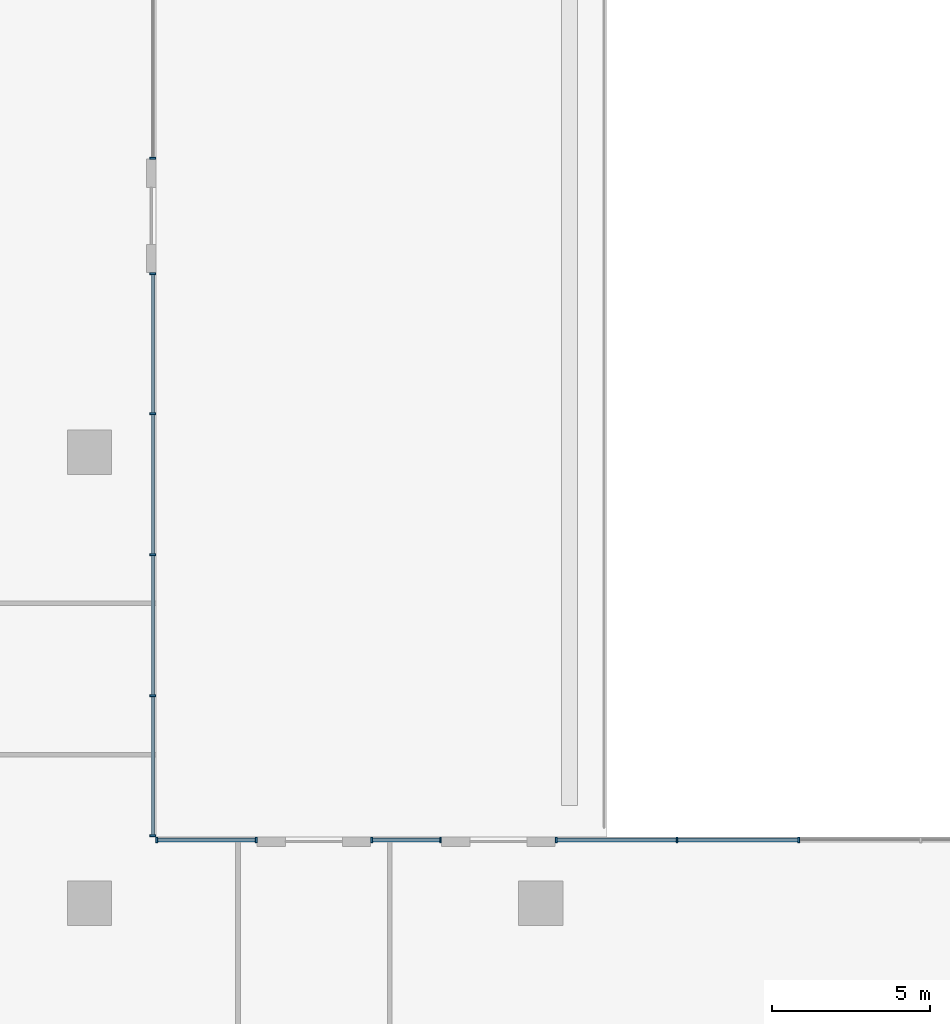
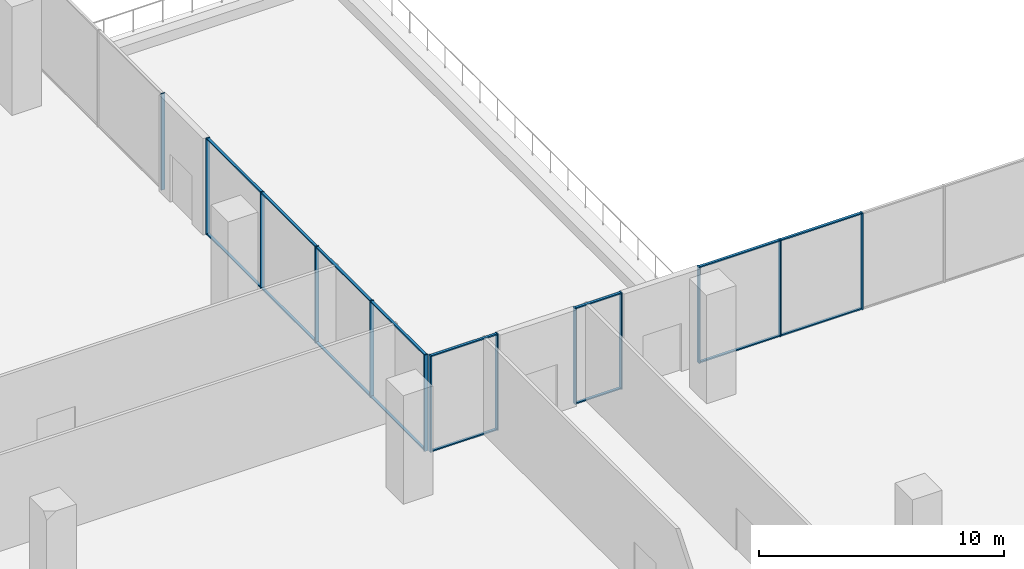
# One storey, part 7 of 21: 29 members, 5 elements without a shape of their own.
"""IFC4 building model written with IfcOpenShell, lengths in metres."""

from ifc_helpers import new_model, si_unit, direction, frame, origin, origin_2d, place, context, subcontext, project, spatial, rectangle, extrude, source, transform, mapped, material, layer, layer_set, material_profile, profile_set, type_object, element, aggregate, save


model = new_model("IFC4")

# Units and contexts
model_context = context("Model", 3, precision=1e-05, world=origin(), true_north=direction((0.0, 1.0)))
body_context = subcontext(model_context, "Body", "Model", "MODEL_VIEW")
ifc_project = project(units=[si_unit("LENGTHUNIT", "METRE"), si_unit("AREAUNIT", "SQUARE_METRE"), si_unit("VOLUMEUNIT", "CUBIC_METRE"), si_unit("PLANEANGLEUNIT", "RADIAN"), si_unit("MASSUNIT", "GRAM", prefix="KILO")], contexts=[model_context])

# Site, building, storey
site_placement = place(None, origin())
site = spatial("IfcSite", under=ifc_project, at=site_placement, CompositionType="ELEMENT")
building_placement = place(site_placement, origin())
building = spatial("IfcBuilding", under=site, at=building_placement, Name="Aurelian Terraces", CompositionType="ELEMENT")
storey_placement = place(building_placement, frame((0.0, 0.0, 29.1)))
storey = spatial("IfcBuildingStorey", under=building, at=storey_placement, Name="L05", CompositionType="ELEMENT", Elevation=29.1)

# Curtain wall, members
ifc_material_1 = material(Name="Anodised aluminium and clear glazing", Category="aluminium")
ifc_layer = layer(ifc_material_1, 0.2)
ifc_layer_set = layer_set([ifc_layer], Name="Winter garden glazing curtain wall")
curtain_wall_type = type_object("IfcCurtainWallType", Name="Winter garden glazing curtain wall", PredefinedType="NOTDEFINED", material=ifc_layer_set)
curtain_wall_1_placement = place(storey_placement, origin())
curtain_wall_1 = element("IfcCurtainWall", 1, at=curtain_wall_1_placement, inside=storey, type_object=curtain_wall_type, Name="Winter garden glazing L05 F04.1", PredefinedType="NOTDEFINED")
ifc_material_2 = material(Name="Anodised aluminium", Category="aluminium")
ifc_material_profile_1 = material_profile(ifc_material_2, rectangle(XDim=0.12, YDim=0.06, at=origin_2d()))
ifc_profile_set_1 = profile_set([ifc_material_profile_1], Name="Anodised aluminium")
member_type_1 = type_object("IfcMemberType", Name="Winter garden glazing transom", PredefinedType="USERDEFINED", material=ifc_profile_set_1)
member_1_placement = place(storey_placement, frame((39.8, 39.96, 0.03), z_axis=(0.0, 1.0, 0.0), x_axis=(-1.0, 0.0, 0.0)))
member_1 = element("IfcMember", 2, at=member_1_placement, type_object=member_type_1, Name="CW6 transom 1.1", ObjectType="TRANSOM", PredefinedType="USERDEFINED", context=body_context, shape_type="SweptSolid", body=[
    extrude(rectangle(XDim=0.12, YDim=0.06, at=origin_2d()), origin(), (0.0, 0.0, 1.0), 4.375),
])
member_2_placement = place(storey_placement, frame((39.8, 44.395, 0.03), z_axis=(0.0, 1.0, 0.0), x_axis=(-1.0, 0.0, 0.0)))
member_2 = element("IfcMember", 3, at=member_2_placement, type_object=member_type_1, Name="CW6 transom 2.1", ObjectType="TRANSOM", PredefinedType="USERDEFINED", context=body_context, shape_type="SweptSolid", body=[
    extrude(rectangle(XDim=0.12, YDim=0.06, at=origin_2d()), origin(), (0.0, 0.0, 1.0), 4.405),
])

curtain_wall_2_placement = place(storey_placement, origin())
curtain_wall_2 = element("IfcCurtainWall", 4, at=curtain_wall_2_placement, inside=storey, type_object=curtain_wall_type, Name="Winter garden glazing L05 F03.1", PredefinedType="NOTDEFINED")
ifc_material_profile_2 = material_profile(ifc_material_2, rectangle(XDim=0.18, YDim=0.06, at=origin_2d()))
ifc_profile_set_2 = profile_set([ifc_material_profile_2], Name="Anodised aluminium")
member_type_2 = type_object("IfcMemberType", Name="Winter garden glazing mullion", PredefinedType="MULLION", material=ifc_profile_set_2)
shared_shape_1 = source(origin(), body_context, "Body", "SweptSolid", [
    extrude(rectangle(XDim=0.18, YDim=0.06, at=origin_2d()), origin(), (0.0, 0.0, 1.0), 4.8),
])
member_3_placement = place(storey_placement, frame((60.252, 39.8, 0.0), z_axis=(0.0, 0.0, 1.0), x_axis=(0.0, -1.0, 0.0)))
member_3 = element("IfcMember", 5, at=member_3_placement, type_object=member_type_2, Name="CW6 mullion 4", PredefinedType="MULLION", context=body_context, shape_type="MappedRepresentation", body=[
    mapped(shared_shape_1, transform((0.0, 0.0, 0.0), scale=1.0)),
])
member_4_placement = place(storey_placement, frame((56.396, 39.8, 0.0), z_axis=(0.0, 0.0, 1.0), x_axis=(0.0, -1.0, 0.0)))
member_4 = element("IfcMember", 6, at=member_4_placement, type_object=member_type_2, Name="CW6 mullion 5", PredefinedType="MULLION", context=body_context, shape_type="MappedRepresentation", body=[
    mapped(shared_shape_1, transform((0.0, 0.0, 0.0), scale=1.0)),
])
member_5_placement = place(storey_placement, frame((52.57, 39.8, 0.0), z_axis=(0.0, 0.0, 1.0), x_axis=(0.0, -1.0, 0.0)))
member_5 = element("IfcMember", 7, at=member_5_placement, type_object=member_type_2, Name="CW6 mullion 6", PredefinedType="MULLION", context=body_context, shape_type="MappedRepresentation", body=[
    mapped(shared_shape_1, transform((0.0, 0.0, 0.0), scale=1.0)),
])

curtain_wall_3_placement = place(storey_placement, origin())
curtain_wall_3 = element("IfcCurtainWall", 8, at=curtain_wall_3_placement, inside=storey, type_object=curtain_wall_type, Name="Winter garden glazing L05 F03.3", PredefinedType="NOTDEFINED")
member_6_placement = place(storey_placement, frame((48.91, 39.8, 0.0), z_axis=(0.0, 0.0, 1.0), x_axis=(0.0, -1.0, 0.0)))
member_6 = element("IfcMember", 9, at=member_6_placement, type_object=member_type_2, Name="CW6 mullion 1", PredefinedType="MULLION", context=body_context, shape_type="MappedRepresentation", body=[
    mapped(shared_shape_1, transform((0.0, 0.0, 0.0), scale=1.0)),
])
member_7_placement = place(storey_placement, frame((46.73, 39.8, 0.0), z_axis=(0.0, 0.0, 1.0), x_axis=(0.0, -1.0, 0.0)))
member_7 = element("IfcMember", 10, at=member_7_placement, type_object=member_type_2, Name="CW6 mullion 2", PredefinedType="MULLION", context=body_context, shape_type="MappedRepresentation", body=[
    mapped(shared_shape_1, transform((0.0, 0.0, 0.0), scale=1.0)),
])

curtain_wall_4_placement = place(storey_placement, origin())
curtain_wall_4 = element("IfcCurtainWall", 11, at=curtain_wall_4_placement, inside=storey, type_object=curtain_wall_type, Name="Winter garden glazing L05 F03.5", PredefinedType="NOTDEFINED")
member_8_placement = place(storey_placement, frame((43.07, 39.8, 0.0), z_axis=(0.0, 0.0, 1.0), x_axis=(0.0, -1.0, 0.0)))
member_8 = element("IfcMember", 12, at=member_8_placement, type_object=member_type_2, Name="CW6 mullion 1", PredefinedType="MULLION", context=body_context, shape_type="MappedRepresentation", body=[
    mapped(shared_shape_1, transform((0.0, 0.0, 0.0), scale=1.0)),
])
member_9_placement = place(storey_placement, frame((39.93, 39.8, 0.0), z_axis=(0.0, 0.0, 1.0), x_axis=(0.0, -1.0, 0.0)))
member_9 = element("IfcMember", 13, at=member_9_placement, type_object=member_type_2, Name="CW6 mullion 2", PredefinedType="MULLION", context=body_context, shape_type="MappedRepresentation", body=[
    mapped(shared_shape_1, transform((0.0, 0.0, 0.0), scale=1.0)),
])

# Member
member_10_placement = place(storey_placement, frame((39.8, 39.93, 0.0), z_axis=(0.0, 0.0, 1.0), x_axis=(-1.0, 0.0, 0.0)))
member_10 = element("IfcMember", 14, at=member_10_placement, type_object=member_type_2, Name="CW6 mullion 1", PredefinedType="MULLION", context=body_context, shape_type="MappedRepresentation", body=[
    mapped(shared_shape_1, transform((0.0, 0.0, 0.0), scale=1.0)),
])

member_11_placement = place(storey_placement, frame((39.8, 44.365, 0.0), z_axis=(0.0, 0.0, 1.0), x_axis=(-1.0, 0.0, 0.0)))
member_11 = element("IfcMember", 15, at=member_11_placement, type_object=member_type_2, Name="CW6 mullion 2", PredefinedType="MULLION", context=body_context, shape_type="MappedRepresentation", body=[
    mapped(shared_shape_1, transform((0.0, 0.0, 0.0), scale=1.0)),
])

member_12_placement = place(storey_placement, frame((39.8, 48.83, 0.0), z_axis=(0.0, 0.0, 1.0), x_axis=(-1.0, 0.0, 0.0)))
member_12 = element("IfcMember", 16, at=member_12_placement, type_object=member_type_2, Name="CW6 mullion 3", PredefinedType="MULLION", context=body_context, shape_type="MappedRepresentation", body=[
    mapped(shared_shape_1, transform((0.0, 0.0, 0.0), scale=1.0)),
])

member_13_placement = place(storey_placement, frame((39.8, 53.295, 0.0), z_axis=(0.0, 0.0, 1.0), x_axis=(-1.0, 0.0, 0.0)))
member_13 = element("IfcMember", 17, at=member_13_placement, type_object=member_type_2, Name="CW6 mullion 4", PredefinedType="MULLION", context=body_context, shape_type="MappedRepresentation", body=[
    mapped(shared_shape_1, transform((0.0, 0.0, 0.0), scale=1.0)),
])

member_14_placement = place(storey_placement, frame((39.8, 57.73, 0.0), z_axis=(0.0, 0.0, 1.0), x_axis=(-1.0, 0.0, 0.0)))
member_14 = element("IfcMember", 18, at=member_14_placement, type_object=member_type_2, Name="CW6 mullion 5", PredefinedType="MULLION", context=body_context, shape_type="MappedRepresentation", body=[
    mapped(shared_shape_1, transform((0.0, 0.0, 0.0), scale=1.0)),
])

# Curtain wall, member
curtain_wall_5_placement = place(storey_placement, origin())
curtain_wall_5 = element("IfcCurtainWall", 19, at=curtain_wall_5_placement, inside=storey, type_object=curtain_wall_type, Name="Winter garden glazing L05 F04.3", PredefinedType="NOTDEFINED")
member_15_placement = place(storey_placement, frame((39.8, 61.39, 0.0), z_axis=(0.0, 0.0, 1.0), x_axis=(-1.0, 0.0, 0.0)))
member_15 = element("IfcMember", 20, at=member_15_placement, type_object=member_type_2, Name="CW6 mullion 1", PredefinedType="MULLION", context=body_context, shape_type="MappedRepresentation", body=[
    mapped(shared_shape_1, transform((0.0, 0.0, 0.0), scale=1.0)),
])
aggregate(curtain_wall_5, [member_15])

# Member
shared_shape_2 = source(origin(), body_context, "Body", "SweptSolid", [
    extrude(rectangle(XDim=0.12, YDim=0.06, at=origin_2d()), origin(), (0.0, 0.0, 1.0), 3.08),
])
member_16_placement = place(storey_placement, frame((43.04, 39.8, 0.03), z_axis=(-1.0, 0.0, 0.0), x_axis=(0.0, -1.0, 0.0)))
member_16 = element("IfcMember", 21, at=member_16_placement, type_object=member_type_1, Name="CW6 transom 1.1", ObjectType="TRANSOM", PredefinedType="USERDEFINED", context=body_context, shape_type="MappedRepresentation", body=[
    mapped(shared_shape_2, transform((0.0, 0.0, 0.0), scale=1.0)),
])

member_17_placement = place(storey_placement, frame((43.04, 39.8, 4.77), z_axis=(-1.0, 0.0, 0.0), x_axis=(0.0, -1.0, 0.0)))
member_17 = element("IfcMember", 22, at=member_17_placement, type_object=member_type_1, Name="CW6 transom 1.2", ObjectType="TRANSOM", PredefinedType="USERDEFINED", context=body_context, shape_type="MappedRepresentation", body=[
    mapped(shared_shape_2, transform((0.0, 0.0, 0.0), scale=1.0)),
])

aggregate(curtain_wall_4, [member_8, member_9, member_16, member_17])

shared_shape_3 = source(origin(), body_context, "Body", "SweptSolid", [
    extrude(rectangle(XDim=0.12, YDim=0.06, at=origin_2d()), origin(), (0.0, 0.0, 1.0), 2.12),
])
member_18_placement = place(storey_placement, frame((48.88, 39.8, 0.03), z_axis=(-1.0, 0.0, 0.0), x_axis=(0.0, -1.0, 0.0)))
member_18 = element("IfcMember", 23, at=member_18_placement, type_object=member_type_1, Name="CW6 transom 1.1", ObjectType="TRANSOM", PredefinedType="USERDEFINED", context=body_context, shape_type="MappedRepresentation", body=[
    mapped(shared_shape_3, transform((0.0, 0.0, 0.0), scale=1.0)),
])

member_19_placement = place(storey_placement, frame((48.88, 39.8, 4.77), z_axis=(-1.0, 0.0, 0.0), x_axis=(0.0, -1.0, 0.0)))
member_19 = element("IfcMember", 24, at=member_19_placement, type_object=member_type_1, Name="CW6 transom 1.2", ObjectType="TRANSOM", PredefinedType="USERDEFINED", context=body_context, shape_type="MappedRepresentation", body=[
    mapped(shared_shape_3, transform((0.0, 0.0, 0.0), scale=1.0)),
])

aggregate(curtain_wall_3, [member_6, member_7, member_18, member_19])

shared_shape_4 = source(origin(), body_context, "Body", "SweptSolid", [
    extrude(rectangle(XDim=0.12, YDim=0.06, at=origin_2d()), origin(), (0.0, 0.0, 1.0), 3.766),
])
member_20_placement = place(storey_placement, frame((56.366, 39.8, 0.03), z_axis=(-1.0, 0.0, 0.0), x_axis=(0.0, -1.0, 0.0)))
member_20 = element("IfcMember", 25, at=member_20_placement, type_object=member_type_1, Name="CW6 transom 5.1", ObjectType="TRANSOM", PredefinedType="USERDEFINED", context=body_context, shape_type="MappedRepresentation", body=[
    mapped(shared_shape_4, transform((0.0, 0.0, 0.0), scale=1.0)),
])

member_21_placement = place(storey_placement, frame((56.366, 39.8, 4.77), z_axis=(-1.0, 0.0, 0.0), x_axis=(0.0, -1.0, 0.0)))
member_21 = element("IfcMember", 26, at=member_21_placement, type_object=member_type_1, Name="CW6 transom 5.2", ObjectType="TRANSOM", PredefinedType="USERDEFINED", context=body_context, shape_type="MappedRepresentation", body=[
    mapped(shared_shape_4, transform((0.0, 0.0, 0.0), scale=1.0)),
])

shared_shape_5 = source(origin(), body_context, "Body", "SweptSolid", [
    extrude(rectangle(XDim=0.12, YDim=0.06, at=origin_2d()), origin(), (0.0, 0.0, 1.0), 3.796),
])
member_22_placement = place(storey_placement, frame((60.222, 39.8, 0.03), z_axis=(-1.0, 0.0, 0.0), x_axis=(0.0, -1.0, 0.0)))
member_22 = element("IfcMember", 27, at=member_22_placement, type_object=member_type_1, Name="CW6 transom 4.1", ObjectType="TRANSOM", PredefinedType="USERDEFINED", context=body_context, shape_type="MappedRepresentation", body=[
    mapped(shared_shape_5, transform((0.0, 0.0, 0.0), scale=1.0)),
])

member_23_placement = place(storey_placement, frame((60.222, 39.8, 4.77), z_axis=(-1.0, 0.0, 0.0), x_axis=(0.0, -1.0, 0.0)))
member_23 = element("IfcMember", 28, at=member_23_placement, type_object=member_type_1, Name="CW6 transom 4.2", ObjectType="TRANSOM", PredefinedType="USERDEFINED", context=body_context, shape_type="MappedRepresentation", body=[
    mapped(shared_shape_5, transform((0.0, 0.0, 0.0), scale=1.0)),
])

aggregate(curtain_wall_2, [member_3, member_4, member_5, member_22, member_23, member_20, member_21])

shared_shape_6 = source(origin(), body_context, "Body", "SweptSolid", [
    extrude(rectangle(XDim=0.12, YDim=0.06, at=origin_2d()), origin(), (0.0, 0.0, 1.0), 4.375),
])
member_24_placement = place(storey_placement, frame((39.8, 39.96, 4.77), z_axis=(0.0, 1.0, 0.0), x_axis=(-1.0, 0.0, 0.0)))
member_24 = element("IfcMember", 29, at=member_24_placement, type_object=member_type_1, Name="CW6 transom 1.2", ObjectType="TRANSOM", PredefinedType="USERDEFINED", context=body_context, shape_type="MappedRepresentation", body=[
    mapped(shared_shape_6, transform((0.0, 0.0, 0.0), scale=1.0)),
])

member_25_placement = place(storey_placement, frame((39.8, 53.325, 0.03), z_axis=(0.0, 1.0, 0.0), x_axis=(-1.0, 0.0, 0.0)))
member_25 = element("IfcMember", 30, at=member_25_placement, type_object=member_type_1, Name="CW6 transom 4.1", ObjectType="TRANSOM", PredefinedType="USERDEFINED", context=body_context, shape_type="MappedRepresentation", body=[
    mapped(shared_shape_6, transform((0.0, 0.0, 0.0), scale=1.0)),
])

member_26_placement = place(storey_placement, frame((39.8, 53.325, 4.77), z_axis=(0.0, 1.0, 0.0), x_axis=(-1.0, 0.0, 0.0)))
member_26 = element("IfcMember", 31, at=member_26_placement, type_object=member_type_1, Name="CW6 transom 4.2", ObjectType="TRANSOM", PredefinedType="USERDEFINED", context=body_context, shape_type="MappedRepresentation", body=[
    mapped(shared_shape_6, transform((0.0, 0.0, 0.0), scale=1.0)),
])

shared_shape_7 = source(origin(), body_context, "Body", "SweptSolid", [
    extrude(rectangle(XDim=0.12, YDim=0.06, at=origin_2d()), origin(), (0.0, 0.0, 1.0), 4.405),
])
member_27_placement = place(storey_placement, frame((39.8, 44.395, 4.77), z_axis=(0.0, 1.0, 0.0), x_axis=(-1.0, 0.0, 0.0)))
member_27 = element("IfcMember", 32, at=member_27_placement, type_object=member_type_1, Name="CW6 transom 2.2", ObjectType="TRANSOM", PredefinedType="USERDEFINED", context=body_context, shape_type="MappedRepresentation", body=[
    mapped(shared_shape_7, transform((0.0, 0.0, 0.0), scale=1.0)),
])

member_28_placement = place(storey_placement, frame((39.8, 48.86, 0.03), z_axis=(0.0, 1.0, 0.0), x_axis=(-1.0, 0.0, 0.0)))
member_28 = element("IfcMember", 33, at=member_28_placement, type_object=member_type_1, Name="CW6 transom 3.1", ObjectType="TRANSOM", PredefinedType="USERDEFINED", context=body_context, shape_type="MappedRepresentation", body=[
    mapped(shared_shape_7, transform((0.0, 0.0, 0.0), scale=1.0)),
])

member_29_placement = place(storey_placement, frame((39.8, 48.86, 4.77), z_axis=(0.0, 1.0, 0.0), x_axis=(-1.0, 0.0, 0.0)))
member_29 = element("IfcMember", 34, at=member_29_placement, type_object=member_type_1, Name="CW6 transom 3.2", ObjectType="TRANSOM", PredefinedType="USERDEFINED", context=body_context, shape_type="MappedRepresentation", body=[
    mapped(shared_shape_7, transform((0.0, 0.0, 0.0), scale=1.0)),
])

aggregate(curtain_wall_1, [member_10, member_11, member_12, member_13, member_14, member_1, member_24, member_2, member_27, member_28, member_29, member_25, member_26])

save(model, "model.ifc")
